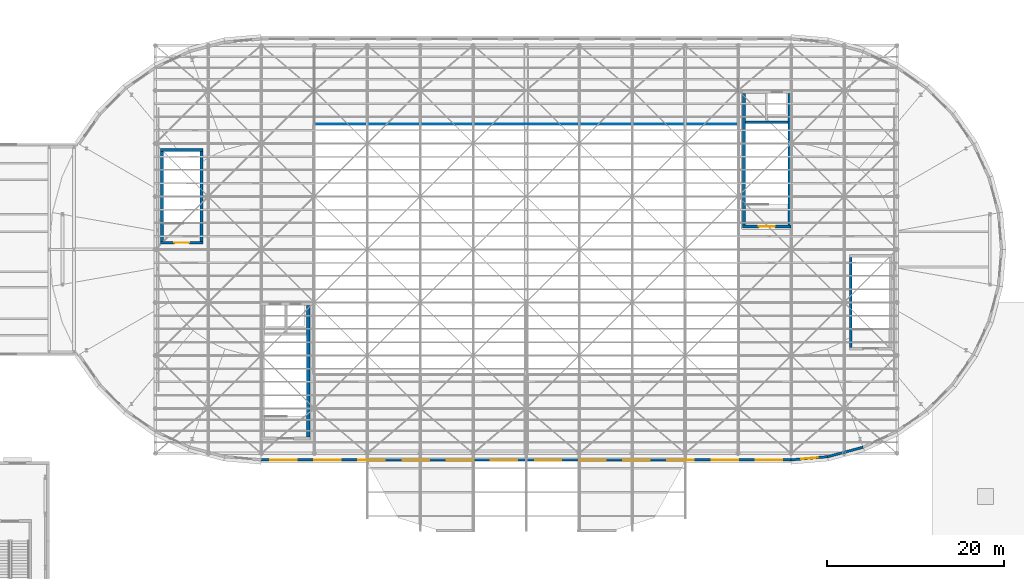
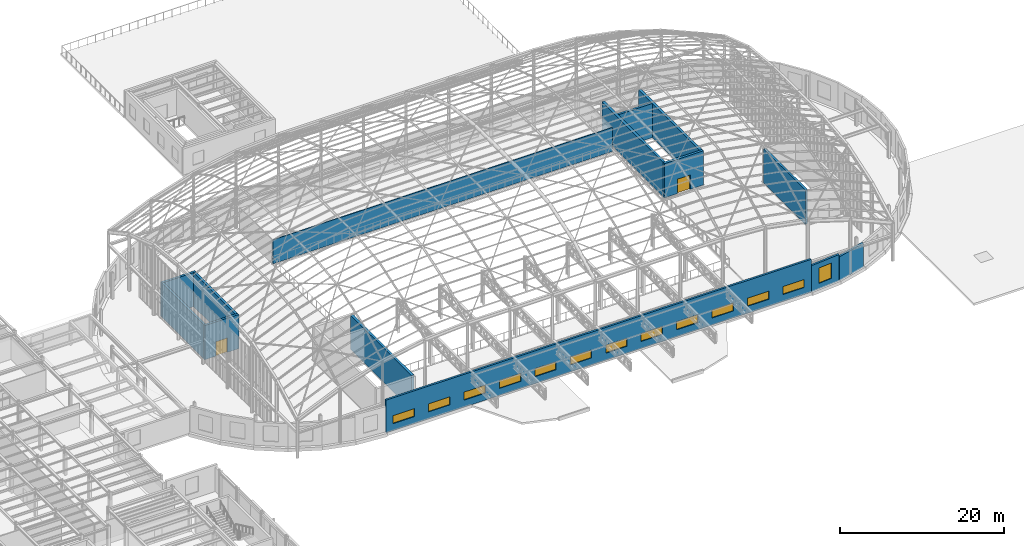
# One storey, part 63 of 75: 14 walls, 13 windows, 2 doors, 15 openings.
"""IFC4 building model written with IfcOpenShell, lengths in metres."""

from ifc_helpers import new_model, si_unit, direction, frame, frame_2d, origin, place, context, subcontext, project, spatial, rectangle, extrude, material, layer, layer_set, type_object, element, fill, save


model = new_model("IFC4")

# Units and contexts
model_context = context("Model", 3, precision=1e-05, world=origin(), true_north=direction((0.0, 1.0)))
body_context = subcontext(model_context, "Body", "Model", "MODEL_VIEW")
ifc_project = project(units=[si_unit("LENGTHUNIT", "METRE"), si_unit("AREAUNIT", "SQUARE_METRE"), si_unit("VOLUMEUNIT", "CUBIC_METRE"), si_unit("PLANEANGLEUNIT", "RADIAN"), si_unit("MASSUNIT", "GRAM", prefix="KILO")], contexts=[model_context])

# Site, building, storey
site_placement = place(None, origin())
site = spatial("IfcSite", under=ifc_project, at=site_placement, CompositionType="ELEMENT")
building_placement = place(site_placement, origin())
building = spatial("IfcBuilding", under=site, at=building_placement, Name="Kolvaren Corner Interchange", CompositionType="ELEMENT")
storey_placement = place(building_placement, frame((0.0, 0.0, 10.5)))
storey = spatial("IfcBuildingStorey", under=building, at=storey_placement, Name="L03", CompositionType="ELEMENT", Elevation=10.5)

# Wall
ifc_material_1 = material(Name="Concrete C35/45", Category="concrete")
ifc_layer_1 = layer(ifc_material_1, 0.35009765625)
ifc_layer_set_1 = layer_set([ifc_layer_1], Name="Concrete C35/45")
wall_type_1 = type_object("IfcWallType", Name="WL-CORE-350", PredefinedType="SHEAR", material=ifc_layer_set_1)
wall_1_placement = place(storey_placement, frame((65.324951171875, 26.75, 0.0), z_axis=(0.0, 0.0, 1.0), x_axis=(0.0, 1.0, 0.0)))
element("IfcWall", 1, at=wall_1_placement, inside=storey, type_object=wall_type_1, Name="Core C3 L03 East Shear Wall", PredefinedType="SHEAR", context=body_context, shape_type="SweptSolid", body=[
    extrude(rectangle(XDim=14.89990234375, YDim=0.35009765625, at=frame_2d((7.449951171875, 0.0))), origin(), (0.0, 0.0, 1.0), 5.10009765625),
])

# Wall, opening, door
wall_2_placement = place(storey_placement, frame((114.5, 50.574951171875, 0.0), z_axis=(0.0, 0.0, 1.0), x_axis=(1.0, 0.0, 0.0)))
wall_2 = element("IfcWall", 2, at=wall_2_placement, inside=storey, type_object=wall_type_1, Name="Core C4 L03 South Shear Wall", PredefinedType="SHEAR", context=body_context, shape_type="SweptSolid", body=[
    extrude(rectangle(XDim=5.5, YDim=0.35009765625, at=frame_2d((2.75, 0.0))), origin(), (0.0, 0.0, 1.0), 5.10009765625),
])
opening_1_placement = place(wall_2_placement, frame((1.85009765625, 0.0, 0.0)))
opening_1 = element("IfcOpeningElement", 3, at=opening_1_placement, cuts=wall_2, Name="Opening D-F01", PredefinedType="OPENING", context=body_context, shape_type="SweptSolid", body=[
    extrude(rectangle(XDim=1.800048828125, YDim=2.14990234375, at=frame_2d((0.89990234375, 1.074951171875))), frame((0.0, 0.18505859375, 0.0), z_axis=(0.0, -1.0, 0.0), x_axis=(1.0, 0.0, 0.0)), (0.0, 0.0, 1.0), 0.3701171875),
])
ifc_material_2 = material(Name="Powder-coated Fire-rated Steel Sheet", Category="steel")
door_type_1 = type_object("IfcDoorType", Name="DT-FD-1800x2150", OperationType="NOTDEFINED", PredefinedType="DOOR", material=ifc_material_2)
door_1_placement = place(opening_1_placement, origin())
door_1 = element("IfcDoor", 4, at=door_1_placement, inside=storey, type_object=door_type_1, Name="Core C4 East Concourse Transfer Stair L03 Protected Exit Door", OperationType="DOUBLE_DOOR_SINGLE_SWING", OverallHeight=2.14990234375, OverallWidth=1.800048828125, PredefinedType="DOOR", context=body_context, shape_type="SweptSolid", body=[
    extrude(rectangle(XDim=1.800048828125, YDim=2.14990234375, at=frame_2d((0.89990234375, 1.074951171875))), frame((0.0, 0.02490234375, 0.0), z_axis=(0.0, -1.0, 0.0), x_axis=(1.0, 0.0, 0.0)), (0.0, 0.0, 1.0), 0.050048828125),
])
fill(opening_1, door_1)

# Walls
for number, where, z_axis, x_axis, name in (
    (5, (114.675048828125, 50.75, 0.0), (0.0, 0.0, 1.0), (0.0, 1.0, 0.0), "Core C4 L03 West Shear Wall"),
    (6, (119.824951171875, 50.75, 0.0), (0.0, 0.0, 1.0), (0.0, 1.0, 0.0), "Core C4 L03 East Shear Wall"),
):
    element("IfcWall", number, at=place(storey_placement, frame(where, z_axis=z_axis, x_axis=x_axis)), inside=storey, type_object=wall_type_1, Name=name, PredefinedType="SHEAR", context=body_context, shape_type="SweptSolid", body=[
        extrude(rectangle(XDim=14.89990234375, YDim=0.35009765625, at=frame_2d((7.449951171875, 0.0))), origin(), (0.0, 0.0, 1.0), 5.10009765625),
    ])
ifc_material_3 = material(Name="Concrete C35/45", Category="concrete")
ifc_layer_2 = layer(ifc_material_3, 0.31005859375)
ifc_layer_set_2 = layer_set([ifc_layer_2], Name="Concrete C35/45")
wall_type_2 = type_object("IfcWallType", Name="WL-STAIR-300", PredefinedType="SHEAR", material=ifc_layer_set_2)
wall_3_placement = place(storey_placement, frame((114.85009765625, 62.39990234375, 0.0), z_axis=(0.0, 0.0, 1.0), x_axis=(1.0, 0.0, 0.0)))
element("IfcWall", 7, at=wall_3_placement, inside=storey, type_object=wall_type_2, Name="Core C4 L03 Lift and Stairwell Divider Wall", PredefinedType="SHEAR", context=body_context, shape_type="SweptSolid", body=[
    extrude(rectangle(XDim=4.7998046875, YDim=0.31005859375, at=frame_2d((2.39990234375, 0.0))), origin(), (0.0, 0.0, 1.0), 5.10009765625),
])

# Wall, opening, door
wall_4_placement = place(storey_placement, frame((48.60009765625, 48.7548828125, 0.0), z_axis=(0.0, 0.0, 1.0), x_axis=(1.0, 0.0, 0.0)))
wall_4 = element("IfcWall", 8, at=wall_4_placement, inside=storey, type_object=wall_type_2, Name="West Racetrack Concourse Gallery Stair L03 South Enclosure Wall", PredefinedType="SHEAR", context=body_context, shape_type="SweptSolid", body=[
    extrude(rectangle(XDim=4.7998046875, YDim=0.31005859375, at=frame_2d((2.39990234375, 0.0))), origin(), (0.0, 0.0, 1.0), 5.10009765625),
])
opening_2_placement = place(wall_4_placement, frame((1.574951171875, 0.0, 0.0)))
opening_2 = element("IfcOpeningElement", 9, at=opening_2_placement, cuts=wall_4, Name="Opening D-F06", PredefinedType="OPENING", context=body_context, shape_type="SweptSolid", body=[
    extrude(rectangle(XDim=1.64990234375, YDim=2.14990234375, at=frame_2d((0.824951171875, 1.074951171875))), frame((0.0, 0.1650390625, 0.0), z_axis=(0.0, -1.0, 0.0), x_axis=(1.0, 0.0, 0.0)), (0.0, 0.0, 1.0), 0.330078125),
])
ifc_material_4 = material(Name="Powder-coated Fire-rated Steel Sheet", Category="steel")
door_type_2 = type_object("IfcDoorType", Name="DT-FD-1650x2150", OperationType="NOTDEFINED", PredefinedType="DOOR", material=ifc_material_4)
door_2_placement = place(opening_2_placement, origin())
door_2 = element("IfcDoor", 10, at=door_2_placement, inside=storey, type_object=door_type_2, Name="West Racetrack Concourse Gallery Stair L03 Protected Exit Door", OperationType="DOUBLE_DOOR_SINGLE_SWING", OverallHeight=2.14990234375, OverallWidth=1.64990234375, PredefinedType="DOOR", context=body_context, shape_type="SweptSolid", body=[
    extrude(rectangle(XDim=1.64990234375, YDim=2.14990234375, at=frame_2d((0.824951171875, 1.074951171875))), frame((0.0, 0.02490234375, 0.0), z_axis=(0.0, -1.0, 0.0), x_axis=(1.0, 0.0, 0.0)), (0.0, 0.0, 1.0), 0.050048828125),
])
fill(opening_2, door_2)

# Walls
wall_5_placement = place(storey_placement, frame((48.60009765625, 59.2451171875, 0.0), z_axis=(0.0, 0.0, 1.0), x_axis=(1.0, 0.0, 0.0)))
element("IfcWall", 11, at=wall_5_placement, inside=storey, type_object=wall_type_2, Name="West Racetrack Concourse Gallery Stair L03 North Enclosure Wall", PredefinedType="SHEAR", context=body_context, shape_type="SweptSolid", body=[
    extrude(rectangle(XDim=4.7998046875, YDim=0.31005859375, at=frame_2d((2.39990234375, 0.0))), origin(), (0.0, 0.0, 1.0), 5.10009765625),
])
for number, where, z_axis, x_axis, name in (
    (12, (48.7548828125, 48.909912109375, 0.0), (0.0, 0.0, 1.0), (0.0, 1.0, 0.0), "West Racetrack Concourse Gallery Stair L03 West Enclosure Wall"),
    (13, (53.2451171875, 48.909912109375, 0.0), (0.0, 0.0, 1.0), (0.0, 1.0, 0.0), "West Racetrack Concourse Gallery Stair L03 East Enclosure Wall"),
    (14, (126.7548828125, 36.909912109375, 0.0), (0.0, 0.0, 1.0), (0.0, 1.0, 0.0), "East Racetrack Concourse Gallery Stair L03 West Enclosure Wall"),
):
    element("IfcWall", number, at=place(storey_placement, frame(where, z_axis=z_axis, x_axis=x_axis)), inside=storey, type_object=wall_type_2, Name=name, PredefinedType="SHEAR", context=body_context, shape_type="SweptSolid", body=[
        extrude(rectangle(XDim=10.18017578125, YDim=0.31005859375, at=frame_2d((5.090087890625, 0.0))), origin(), (0.0, 0.0, 1.0), 5.10009765625),
    ])

# Wall, opening, window
ifc_material_5 = material(Name="White Glazed Ceramic Terracotta Band Assembly", Category="masonry")
ifc_layer_3 = layer(ifc_material_5, 0.280029296875)
ifc_layer_set_3 = layer_set([ifc_layer_3], Name="White Glazed Ceramic Terracotta Band Assembly")
wall_type_3 = type_object("IfcWallType", Name="WT-EXT-WHT280", PredefinedType="SOLIDWALL", material=ifc_layer_set_3)
wall_6_placement = place(storey_placement, frame((120.0, 24.159912109375, 0.0), z_axis=(0.0, 0.0, 1.0), x_axis=(0.99619237826, 0.087182254487, 0.0)))
wall_6 = element("IfcWall", 15, at=wall_6_placement, inside=storey, type_object=wall_type_3, Name="Racetrack East Curved Drum Chord 01 Wall 0131", PredefinedType="SOLIDWALL", context=body_context, shape_type="SweptSolid", body=[
    extrude(rectangle(XDim=4.15576171875, YDim=0.280029296875, at=frame_2d((2.077880859375, 0.0))), origin(), (0.0, 0.0, 1.0), 3.949951171875),
])
opening_3_placement = place(wall_6_placement, frame((1.127685546875, 0.0, 0.85009765625)))
opening_3 = element("IfcOpeningElement", 16, at=opening_3_placement, cuts=wall_6, Name="Opening W-05", PredefinedType="OPENING", context=body_context, shape_type="SweptSolid", body=[
    extrude(rectangle(XDim=1.89990234375, YDim=2.300048828125, at=frame_2d((0.949951171875, 1.14990234375))), frame((0.0, 0.14990234375, 0.0), z_axis=(0.0, -1.0, 0.0), x_axis=(1.0, 0.0, 0.0)), (0.0, 0.0, 1.0), 0.300048828125),
])
ifc_material_6 = material(Name="Thermally Broken Aluminium and Solar-Control Double Glazing", Category="aluminium")
window_type_1 = type_object("IfcWindowType", Name="WT-ARC-1900x2300", PartitioningType="DOUBLE_PANEL_VERTICAL", PredefinedType="WINDOW", material=ifc_material_6)
window_1_placement = place(opening_3_placement, origin())
window_1 = element("IfcWindow", 17, at=window_1_placement, inside=storey, type_object=window_type_1, Name="L03 Racetrack East Curved Drum Chord 01 Window 0196", OverallHeight=2.300048828125, OverallWidth=1.89990234375, PartitioningType="SINGLE_PANEL", PredefinedType="WINDOW", context=body_context, shape_type="SweptSolid", body=[
    extrude(rectangle(XDim=1.89990234375, YDim=2.300048828125, at=frame_2d((0.949951171875, 1.14990234375))), frame((0.0, 0.030029296875, 0.0), z_axis=(0.0, -1.0, 0.0), x_axis=(1.0, 0.0, 0.0)), (0.0, 0.0, 1.0), 0.06005859375),
])
fill(opening_3, window_1)

# Wall
wall_7_placement = place(storey_placement, frame((124.139892578125, 24.522216796875, 0.0), z_axis=(0.0, 0.0, 1.0), x_axis=(0.965931006096, 0.258799713026, 0.0)))
element("IfcWall", 18, at=wall_7_placement, inside=storey, type_object=wall_type_3, Name="Racetrack East Curved Drum Chord 02 Wall 0132", PredefinedType="SOLIDWALL", context=body_context, shape_type="SweptSolid", body=[
    extrude(rectangle(XDim=4.155517578125, YDim=0.280029296875, at=frame_2d((2.07763671875, 0.0))), origin(), (0.0, 0.0, 1.0), 3.5849609375),
])

# Wall, openings, windows
wall_8_placement = place(storey_placement, frame((60.0, 24.159912109375, 0.0), z_axis=(0.0, 0.0, 1.0), x_axis=(1.0, 0.0, 0.0)))
wall_8 = element("IfcWall", 19, at=wall_8_placement, inside=storey, type_object=wall_type_3, Name="Sky Gallery South Clerestory Wall 0166", PredefinedType="SOLIDWALL", context=body_context, shape_type="SweptSolid", body=[
    extrude(rectangle(XDim=60.0, YDim=0.280029296875, at=frame_2d((30.0, 0.0))), origin(), (0.0, 0.0, 1.0), 4.89990234375),
])
opening_4_placement = place(wall_8_placement, frame((1.0, 0.0, 1.050048828125)))
opening_4 = element("IfcOpeningElement", 20, at=opening_4_placement, cuts=wall_8, Name="Opening W-08", PredefinedType="OPENING", context=body_context, shape_type="SweptSolid", body=[
    extrude(rectangle(XDim=3.0, YDim=1.199951171875, at=frame_2d((1.5, 0.60009765625))), frame((0.0, 0.14990234375, 0.0), z_axis=(0.0, -1.0, 0.0), x_axis=(1.0, 0.0, 0.0)), (0.0, 0.0, 1.0), 0.300048828125),
])
opening_5_placement = place(wall_8_placement, frame((6.0, 0.0, 1.050048828125)))
opening_5 = element("IfcOpeningElement", 21, at=opening_5_placement, cuts=wall_8, Name="Opening W-08", PredefinedType="OPENING", context=body_context, shape_type="SweptSolid", body=[
    extrude(rectangle(XDim=3.0, YDim=1.199951171875, at=frame_2d((1.5, 0.60009765625))), frame((0.0, 0.14990234375, 0.0), z_axis=(0.0, -1.0, 0.0), x_axis=(1.0, 0.0, 0.0)), (0.0, 0.0, 1.0), 0.300048828125),
])
opening_6_placement = place(wall_8_placement, frame((11.0, 0.0, 1.050048828125)))
opening_6 = element("IfcOpeningElement", 22, at=opening_6_placement, cuts=wall_8, Name="Opening W-08", PredefinedType="OPENING", context=body_context, shape_type="SweptSolid", body=[
    extrude(rectangle(XDim=3.0, YDim=1.199951171875, at=frame_2d((1.5, 0.60009765625))), frame((0.0, 0.14990234375, 0.0), z_axis=(0.0, -1.0, 0.0), x_axis=(1.0, 0.0, 0.0)), (0.0, 0.0, 1.0), 0.300048828125),
])
opening_7_placement = place(wall_8_placement, frame((16.0, 0.0, 1.050048828125)))
opening_7 = element("IfcOpeningElement", 23, at=opening_7_placement, cuts=wall_8, Name="Opening W-08", PredefinedType="OPENING", context=body_context, shape_type="SweptSolid", body=[
    extrude(rectangle(XDim=3.0, YDim=1.199951171875, at=frame_2d((1.5, 0.60009765625))), frame((0.0, 0.14990234375, 0.0), z_axis=(0.0, -1.0, 0.0), x_axis=(1.0, 0.0, 0.0)), (0.0, 0.0, 1.0), 0.300048828125),
])
opening_8_placement = place(wall_8_placement, frame((21.0, 0.0, 1.050048828125)))
opening_8 = element("IfcOpeningElement", 24, at=opening_8_placement, cuts=wall_8, Name="Opening W-08", PredefinedType="OPENING", context=body_context, shape_type="SweptSolid", body=[
    extrude(rectangle(XDim=3.0, YDim=1.199951171875, at=frame_2d((1.5, 0.60009765625))), frame((0.0, 0.14990234375, 0.0), z_axis=(0.0, -1.0, 0.0), x_axis=(1.0, 0.0, 0.0)), (0.0, 0.0, 1.0), 0.300048828125),
])
opening_9_placement = place(wall_8_placement, frame((26.0, 0.0, 1.050048828125)))
opening_9 = element("IfcOpeningElement", 25, at=opening_9_placement, cuts=wall_8, Name="Opening W-08", PredefinedType="OPENING", context=body_context, shape_type="SweptSolid", body=[
    extrude(rectangle(XDim=3.0, YDim=1.199951171875, at=frame_2d((1.5, 0.60009765625))), frame((0.0, 0.14990234375, 0.0), z_axis=(0.0, -1.0, 0.0), x_axis=(1.0, 0.0, 0.0)), (0.0, 0.0, 1.0), 0.300048828125),
])
opening_10_placement = place(wall_8_placement, frame((31.0, 0.0, 1.050048828125)))
opening_10 = element("IfcOpeningElement", 26, at=opening_10_placement, cuts=wall_8, Name="Opening W-08", PredefinedType="OPENING", context=body_context, shape_type="SweptSolid", body=[
    extrude(rectangle(XDim=3.0, YDim=1.199951171875, at=frame_2d((1.5, 0.60009765625))), frame((0.0, 0.14990234375, 0.0), z_axis=(0.0, -1.0, 0.0), x_axis=(1.0, 0.0, 0.0)), (0.0, 0.0, 1.0), 0.300048828125),
])
opening_11_placement = place(wall_8_placement, frame((36.0, 0.0, 1.050048828125)))
opening_11 = element("IfcOpeningElement", 27, at=opening_11_placement, cuts=wall_8, Name="Opening W-08", PredefinedType="OPENING", context=body_context, shape_type="SweptSolid", body=[
    extrude(rectangle(XDim=3.0, YDim=1.199951171875, at=frame_2d((1.5, 0.60009765625))), frame((0.0, 0.14990234375, 0.0), z_axis=(0.0, -1.0, 0.0), x_axis=(1.0, 0.0, 0.0)), (0.0, 0.0, 1.0), 0.300048828125),
])
opening_12_placement = place(wall_8_placement, frame((41.0, 0.0, 1.050048828125)))
opening_12 = element("IfcOpeningElement", 28, at=opening_12_placement, cuts=wall_8, Name="Opening W-08", PredefinedType="OPENING", context=body_context, shape_type="SweptSolid", body=[
    extrude(rectangle(XDim=3.0, YDim=1.199951171875, at=frame_2d((1.5, 0.60009765625))), frame((0.0, 0.14990234375, 0.0), z_axis=(0.0, -1.0, 0.0), x_axis=(1.0, 0.0, 0.0)), (0.0, 0.0, 1.0), 0.300048828125),
])
opening_13_placement = place(wall_8_placement, frame((46.0, 0.0, 1.050048828125)))
opening_13 = element("IfcOpeningElement", 29, at=opening_13_placement, cuts=wall_8, Name="Opening W-08", PredefinedType="OPENING", context=body_context, shape_type="SweptSolid", body=[
    extrude(rectangle(XDim=3.0, YDim=1.199951171875, at=frame_2d((1.5, 0.60009765625))), frame((0.0, 0.14990234375, 0.0), z_axis=(0.0, -1.0, 0.0), x_axis=(1.0, 0.0, 0.0)), (0.0, 0.0, 1.0), 0.300048828125),
])
opening_14_placement = place(wall_8_placement, frame((51.0, 0.0, 1.050048828125)))
opening_14 = element("IfcOpeningElement", 30, at=opening_14_placement, cuts=wall_8, Name="Opening W-08", PredefinedType="OPENING", context=body_context, shape_type="SweptSolid", body=[
    extrude(rectangle(XDim=3.0, YDim=1.199951171875, at=frame_2d((1.5, 0.60009765625))), frame((0.0, 0.14990234375, 0.0), z_axis=(0.0, -1.0, 0.0), x_axis=(1.0, 0.0, 0.0)), (0.0, 0.0, 1.0), 0.300048828125),
])
opening_15_placement = place(wall_8_placement, frame((56.0, 0.0, 1.050048828125)))
opening_15 = element("IfcOpeningElement", 31, at=opening_15_placement, cuts=wall_8, Name="Opening W-08", PredefinedType="OPENING", context=body_context, shape_type="SweptSolid", body=[
    extrude(rectangle(XDim=3.0, YDim=1.199951171875, at=frame_2d((1.5, 0.60009765625))), frame((0.0, 0.14990234375, 0.0), z_axis=(0.0, -1.0, 0.0), x_axis=(1.0, 0.0, 0.0)), (0.0, 0.0, 1.0), 0.300048828125),
])
ifc_material_7 = material(Name="Thermally Broken Aluminium and Solar-Control Double Glazing", Category="aluminium")
window_type_2 = type_object("IfcWindowType", Name="WT-CLER-3000x1200", PartitioningType="TRIPLE_PANEL_HORIZONTAL", PredefinedType="WINDOW", material=ifc_material_7)
window_2_placement = place(opening_4_placement, origin())
window_2 = element("IfcWindow", 32, at=window_2_placement, inside=storey, type_object=window_type_2, Name="L03 Sky Gallery South Clerestory Window 0220", OverallHeight=1.199951171875, OverallWidth=3.0, PartitioningType="SINGLE_PANEL", PredefinedType="WINDOW", context=body_context, shape_type="SweptSolid", body=[
    extrude(rectangle(XDim=3.0, YDim=1.199951171875, at=frame_2d((1.5, 0.60009765625))), frame((0.0, 0.030029296875, 0.0), z_axis=(0.0, -1.0, 0.0), x_axis=(1.0, 0.0, 0.0)), (0.0, 0.0, 1.0), 0.06005859375),
])
fill(opening_4, window_2)
window_3_placement = place(opening_5_placement, origin())
window_3 = element("IfcWindow", 33, at=window_3_placement, inside=storey, type_object=window_type_2, Name="L03 Sky Gallery South Clerestory Window 0221", OverallHeight=1.199951171875, OverallWidth=3.0, PartitioningType="SINGLE_PANEL", PredefinedType="WINDOW", context=body_context, shape_type="SweptSolid", body=[
    extrude(rectangle(XDim=3.0, YDim=1.199951171875, at=frame_2d((1.5, 0.60009765625))), frame((0.0, 0.030029296875, 0.0), z_axis=(0.0, -1.0, 0.0), x_axis=(1.0, 0.0, 0.0)), (0.0, 0.0, 1.0), 0.06005859375),
])
fill(opening_5, window_3)
window_4_placement = place(opening_6_placement, origin())
window_4 = element("IfcWindow", 34, at=window_4_placement, inside=storey, type_object=window_type_2, Name="L03 Sky Gallery South Clerestory Window 0222", OverallHeight=1.199951171875, OverallWidth=3.0, PartitioningType="SINGLE_PANEL", PredefinedType="WINDOW", context=body_context, shape_type="SweptSolid", body=[
    extrude(rectangle(XDim=3.0, YDim=1.199951171875, at=frame_2d((1.5, 0.60009765625))), frame((0.0, 0.030029296875, 0.0), z_axis=(0.0, -1.0, 0.0), x_axis=(1.0, 0.0, 0.0)), (0.0, 0.0, 1.0), 0.06005859375),
])
fill(opening_6, window_4)
window_5_placement = place(opening_7_placement, origin())
window_5 = element("IfcWindow", 35, at=window_5_placement, inside=storey, type_object=window_type_2, Name="L03 Sky Gallery South Clerestory Window 0223", OverallHeight=1.199951171875, OverallWidth=3.0, PartitioningType="SINGLE_PANEL", PredefinedType="WINDOW", context=body_context, shape_type="SweptSolid", body=[
    extrude(rectangle(XDim=3.0, YDim=1.199951171875, at=frame_2d((1.5, 0.60009765625))), frame((0.0, 0.030029296875, 0.0), z_axis=(0.0, -1.0, 0.0), x_axis=(1.0, 0.0, 0.0)), (0.0, 0.0, 1.0), 0.06005859375),
])
fill(opening_7, window_5)
window_6_placement = place(opening_8_placement, origin())
window_6 = element("IfcWindow", 36, at=window_6_placement, inside=storey, type_object=window_type_2, Name="L03 Sky Gallery South Clerestory Window 0224", OverallHeight=1.199951171875, OverallWidth=3.0, PartitioningType="SINGLE_PANEL", PredefinedType="WINDOW", context=body_context, shape_type="SweptSolid", body=[
    extrude(rectangle(XDim=3.0, YDim=1.199951171875, at=frame_2d((1.5, 0.60009765625))), frame((0.0, 0.030029296875, 0.0), z_axis=(0.0, -1.0, 0.0), x_axis=(1.0, 0.0, 0.0)), (0.0, 0.0, 1.0), 0.06005859375),
])
fill(opening_8, window_6)
window_7_placement = place(opening_9_placement, origin())
window_7 = element("IfcWindow", 37, at=window_7_placement, inside=storey, type_object=window_type_2, Name="L03 Sky Gallery South Clerestory Window 0225", OverallHeight=1.199951171875, OverallWidth=3.0, PartitioningType="SINGLE_PANEL", PredefinedType="WINDOW", context=body_context, shape_type="SweptSolid", body=[
    extrude(rectangle(XDim=3.0, YDim=1.199951171875, at=frame_2d((1.5, 0.60009765625))), frame((0.0, 0.030029296875, 0.0), z_axis=(0.0, -1.0, 0.0), x_axis=(1.0, 0.0, 0.0)), (0.0, 0.0, 1.0), 0.06005859375),
])
fill(opening_9, window_7)
window_8_placement = place(opening_10_placement, origin())
window_8 = element("IfcWindow", 38, at=window_8_placement, inside=storey, type_object=window_type_2, Name="L03 Sky Gallery South Clerestory Window 0226", OverallHeight=1.199951171875, OverallWidth=3.0, PartitioningType="SINGLE_PANEL", PredefinedType="WINDOW", context=body_context, shape_type="SweptSolid", body=[
    extrude(rectangle(XDim=3.0, YDim=1.199951171875, at=frame_2d((1.5, 0.60009765625))), frame((0.0, 0.030029296875, 0.0), z_axis=(0.0, -1.0, 0.0), x_axis=(1.0, 0.0, 0.0)), (0.0, 0.0, 1.0), 0.06005859375),
])
fill(opening_10, window_8)
window_9_placement = place(opening_11_placement, origin())
window_9 = element("IfcWindow", 39, at=window_9_placement, inside=storey, type_object=window_type_2, Name="L03 Sky Gallery South Clerestory Window 0227", OverallHeight=1.199951171875, OverallWidth=3.0, PartitioningType="SINGLE_PANEL", PredefinedType="WINDOW", context=body_context, shape_type="SweptSolid", body=[
    extrude(rectangle(XDim=3.0, YDim=1.199951171875, at=frame_2d((1.5, 0.60009765625))), frame((0.0, 0.030029296875, 0.0), z_axis=(0.0, -1.0, 0.0), x_axis=(1.0, 0.0, 0.0)), (0.0, 0.0, 1.0), 0.06005859375),
])
fill(opening_11, window_9)
window_10_placement = place(opening_12_placement, origin())
window_10 = element("IfcWindow", 40, at=window_10_placement, inside=storey, type_object=window_type_2, Name="L03 Sky Gallery South Clerestory Window 0228", OverallHeight=1.199951171875, OverallWidth=3.0, PartitioningType="SINGLE_PANEL", PredefinedType="WINDOW", context=body_context, shape_type="SweptSolid", body=[
    extrude(rectangle(XDim=3.0, YDim=1.199951171875, at=frame_2d((1.5, 0.60009765625))), frame((0.0, 0.030029296875, 0.0), z_axis=(0.0, -1.0, 0.0), x_axis=(1.0, 0.0, 0.0)), (0.0, 0.0, 1.0), 0.06005859375),
])
fill(opening_12, window_10)
window_11_placement = place(opening_13_placement, origin())
window_11 = element("IfcWindow", 41, at=window_11_placement, inside=storey, type_object=window_type_2, Name="L03 Sky Gallery South Clerestory Window 0229", OverallHeight=1.199951171875, OverallWidth=3.0, PartitioningType="SINGLE_PANEL", PredefinedType="WINDOW", context=body_context, shape_type="SweptSolid", body=[
    extrude(rectangle(XDim=3.0, YDim=1.199951171875, at=frame_2d((1.5, 0.60009765625))), frame((0.0, 0.030029296875, 0.0), z_axis=(0.0, -1.0, 0.0), x_axis=(1.0, 0.0, 0.0)), (0.0, 0.0, 1.0), 0.06005859375),
])
fill(opening_13, window_11)
window_12_placement = place(opening_14_placement, origin())
window_12 = element("IfcWindow", 42, at=window_12_placement, inside=storey, type_object=window_type_2, Name="L03 Sky Gallery South Clerestory Window 0230", OverallHeight=1.199951171875, OverallWidth=3.0, PartitioningType="SINGLE_PANEL", PredefinedType="WINDOW", context=body_context, shape_type="SweptSolid", body=[
    extrude(rectangle(XDim=3.0, YDim=1.199951171875, at=frame_2d((1.5, 0.60009765625))), frame((0.0, 0.030029296875, 0.0), z_axis=(0.0, -1.0, 0.0), x_axis=(1.0, 0.0, 0.0)), (0.0, 0.0, 1.0), 0.06005859375),
])
fill(opening_14, window_12)
window_13_placement = place(opening_15_placement, origin())
window_13 = element("IfcWindow", 43, at=window_13_placement, inside=storey, type_object=window_type_2, Name="L03 Sky Gallery South Clerestory Window 0231", OverallHeight=1.199951171875, OverallWidth=3.0, PartitioningType="SINGLE_PANEL", PredefinedType="WINDOW", context=body_context, shape_type="SweptSolid", body=[
    extrude(rectangle(XDim=3.0, YDim=1.199951171875, at=frame_2d((1.5, 0.60009765625))), frame((0.0, 0.030029296875, 0.0), z_axis=(0.0, -1.0, 0.0), x_axis=(1.0, 0.0, 0.0)), (0.0, 0.0, 1.0), 0.06005859375),
])
fill(opening_15, window_13)

# Wall
ifc_material_8 = material(Name="Framed Acoustic Glazed Office Screen")
ifc_layer_4 = layer(ifc_material_8, 0.10009765625)
ifc_layer_set_4 = layer_set([ifc_layer_4], Name="Framed Acoustic Glazed Office Screen")
wall_type_4 = type_object("IfcWallType", Name="WT-PART-GL100", PredefinedType="MOVABLE", material=ifc_layer_set_4)
wall_9_placement = place(storey_placement, frame((66.052001953125, 62.199951171875, 0.0), z_axis=(0.0, 0.0, 1.0), x_axis=(1.0, 0.0, 0.0)))
element("IfcWall", 44, at=wall_9_placement, inside=storey, type_object=wall_type_4, Name="L03 North Sky Lounge Suite Partition Wall 122", PredefinedType="MOVABLE", context=body_context, shape_type="SweptSolid", body=[
    extrude(rectangle(XDim=47.89599609375, YDim=0.10009765625, at=frame_2d((23.947998046875, 0.0))), origin(), (0.0, 0.0, 1.0), 3.580078125),
])

save(model, "model.ifc")
